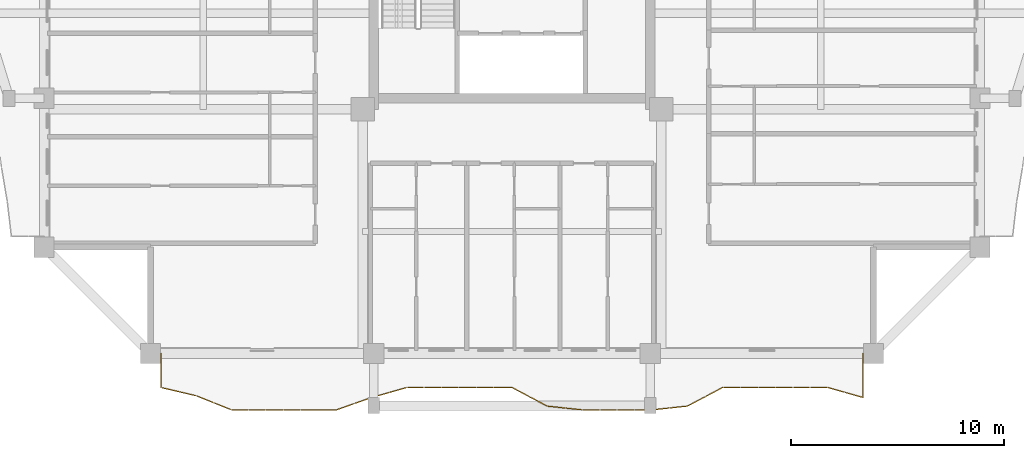
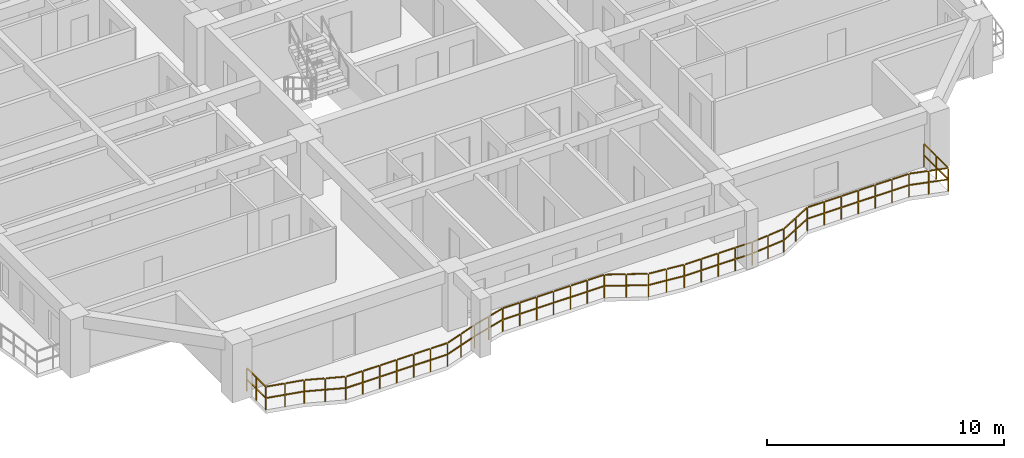
# One storey, part 11 of 15: 1 railing.
"""IFC4 building model written with IfcOpenShell, lengths in metres."""

from ifc_helpers import new_model, si_unit, direction, frame, origin, origin_2d, place, context, subcontext, project, spatial, rectangle, extrude, material, type_object, element, save


model = new_model("IFC4")

# Units and contexts
model_context = context("Model", 3, precision=1e-05, world=origin(), true_north=direction((0.0, 1.0)))
body_context = subcontext(model_context, "Body", "Model", "MODEL_VIEW")
ifc_project = project(units=[si_unit("LENGTHUNIT", "METRE"), si_unit("AREAUNIT", "SQUARE_METRE"), si_unit("VOLUMEUNIT", "CUBIC_METRE"), si_unit("PLANEANGLEUNIT", "RADIAN"), si_unit("MASSUNIT", "GRAM", prefix="KILO")], contexts=[model_context])

# Site, building, storey
site_placement = place(None, origin())
site = spatial("IfcSite", under=ifc_project, at=site_placement, CompositionType="ELEMENT")
building_placement = place(site_placement, origin())
building = spatial("IfcBuilding", under=site, at=building_placement, Name="Saelheon Loggia Tower", CompositionType="ELEMENT")
storey_placement = place(building_placement, frame((0.0, 0.0, 163.0)))
storey = spatial("IfcBuildingStorey", under=building, at=storey_placement, Name="L51", CompositionType="ELEMENT", Elevation=163.0)

# Railing
ifc_material = material(Name="Architectural Precast Concrete and Laminated Glass Guard", Category="concrete")
railing_type = type_object("IfcRailingType", Name="Guard_Loggia_RL_LOG", PredefinedType="BALUSTRADE", material=ifc_material)
railing_placement = place(storey_placement, frame((21.5, 6.0, 0.0)))
element("IfcRailing", 1, at=railing_placement, inside=storey, type_object=railing_type, Name="L51 South Loggia Balustrade", PredefinedType="BALUSTRADE", context=body_context, shape_type="SweptSolid", body=[
    extrude(rectangle(XDim=0.048095703125, YDim=0.048095703125, at=origin_2d()), frame((0.0, -0.033203125, 1.19580078125), z_axis=(0.0, -1.0, 0.0), x_axis=(1.0, 0.0, 0.0)), (0.0, 0.0, 1.0), 0.733642578125),
    extrude(rectangle(XDim=0.048095703125, YDim=0.048095703125, at=origin_2d()), frame((0.0, -0.033203125, 0.60986328125), z_axis=(0.0, -1.0, 0.0), x_axis=(1.0, 0.0, 0.0)), (0.0, 0.0, 1.0), 0.733642578125),
    extrude(rectangle(XDim=0.048095703125, YDim=0.048095703125, at=origin_2d()), frame((0.0, -0.833251953125, 1.19580078125), z_axis=(0.0, -1.0, 0.0), x_axis=(1.0, 0.0, 0.0)), (0.0, 0.0, 1.0), 0.733642578125),
    extrude(rectangle(XDim=0.048095703125, YDim=0.048095703125, at=origin_2d()), frame((0.0, -0.833251953125, 0.60986328125), z_axis=(0.0, -1.0, 0.0), x_axis=(1.0, 0.0, 0.0)), (0.0, 0.0, 1.0), 0.733642578125),
    extrude(rectangle(XDim=0.048095703125, YDim=0.048095703125, at=origin_2d()), frame((0.032470703125, -1.607666015625, 1.19580078125), z_axis=(0.973549256747, -0.228477230127, 0.0), x_axis=(0.228477230127, 0.973549256747, 0.0)), (0.0, 0.0, 1.0), 0.781005859375),
    extrude(rectangle(XDim=0.048095703125, YDim=0.048095703125, at=origin_2d()), frame((0.032470703125, -1.607666015625, 0.60986328125), z_axis=(0.973549256747, -0.228477230127, 0.0), x_axis=(0.228477230127, 0.973549256747, 0.0)), (0.0, 0.0, 1.0), 0.781005859375),
    extrude(rectangle(XDim=0.048095703125, YDim=0.048095703125, at=origin_2d()), frame((0.857421875, -1.80126953125, 1.19580078125), z_axis=(0.973549256747, -0.228477230127, 0.0), x_axis=(0.228477230127, 0.973549256747, 0.0)), (0.0, 0.0, 1.0), 0.781005859375),
    extrude(rectangle(XDim=0.048095703125, YDim=0.048095703125, at=origin_2d()), frame((0.857421875, -1.80126953125, 0.60986328125), z_axis=(0.973549256747, -0.228477230127, 0.0), x_axis=(0.228477230127, 0.973549256747, 0.0)), (0.0, 0.0, 1.0), 0.781005859375),
    extrude(rectangle(XDim=0.048095703125, YDim=0.048095703125, at=origin_2d()), frame((1.6806640625, -1.999755859375, 1.19580078125), z_axis=(0.927983503155, -0.372621279414, 0.0), x_axis=(0.372621279414, 0.927983503155, 0.0)), (0.0, 0.0, 1.0), 0.82275390625),
    extrude(rectangle(XDim=0.048095703125, YDim=0.048095703125, at=origin_2d()), frame((1.6806640625, -1.999755859375, 0.60986328125), z_axis=(0.927983503155, -0.372621279414, 0.0), x_axis=(0.372621279414, 0.927983503155, 0.0)), (0.0, 0.0, 1.0), 0.82275390625),
    extrude(rectangle(XDim=0.048095703125, YDim=0.048095703125, at=origin_2d()), frame((2.505859375, -2.3310546875, 1.19580078125), z_axis=(0.927983503155, -0.372621279414, 0.0), x_axis=(0.372621279414, 0.927983503155, 0.0)), (0.0, 0.0, 1.0), 0.82275390625),
    extrude(rectangle(XDim=0.048095703125, YDim=0.048095703125, at=origin_2d()), frame((2.505859375, -2.3310546875, 0.60986328125), z_axis=(0.927983503155, -0.372621279414, 0.0), x_axis=(0.372621279414, 0.927983503155, 0.0)), (0.0, 0.0, 1.0), 0.82275390625),
    extrude(rectangle(XDim=0.048095703125, YDim=0.048095703125, at=origin_2d()), frame((3.333251953125, -2.64990234375, 1.19580078125), z_axis=(1.0, 0.0, 0.0), x_axis=(0.0, 1.0, 0.0)), (0.0, 0.0, 1.0), 0.758544921875),
    extrude(rectangle(XDim=0.048095703125, YDim=0.048095703125, at=origin_2d()), frame((3.333251953125, -2.64990234375, 0.60986328125), z_axis=(1.0, 0.0, 0.0), x_axis=(0.0, 1.0, 0.0)), (0.0, 0.0, 1.0), 0.758544921875),
    extrude(rectangle(XDim=0.048095703125, YDim=0.048095703125, at=origin_2d()), frame((4.158203125, -2.64990234375, 1.19580078125), z_axis=(1.0, 0.0, 0.0), x_axis=(0.0, 1.0, 0.0)), (0.0, 0.0, 1.0), 0.758544921875),
    extrude(rectangle(XDim=0.048095703125, YDim=0.048095703125, at=origin_2d()), frame((4.158203125, -2.64990234375, 0.60986328125), z_axis=(1.0, 0.0, 0.0), x_axis=(0.0, 1.0, 0.0)), (0.0, 0.0, 1.0), 0.758544921875),
    extrude(rectangle(XDim=0.048095703125, YDim=0.048095703125, at=origin_2d()), frame((4.983154296875, -2.64990234375, 1.19580078125), z_axis=(1.0, 0.0, 0.0), x_axis=(0.0, 1.0, 0.0)), (0.0, 0.0, 1.0), 0.758544921875),
    extrude(rectangle(XDim=0.048095703125, YDim=0.048095703125, at=origin_2d()), frame((4.983154296875, -2.64990234375, 0.60986328125), z_axis=(1.0, 0.0, 0.0), x_axis=(0.0, 1.0, 0.0)), (0.0, 0.0, 1.0), 0.758544921875),
    extrude(rectangle(XDim=0.048095703125, YDim=0.048095703125, at=origin_2d()), frame((5.808349609375, -2.64990234375, 1.19580078125), z_axis=(1.0, 0.0, 0.0), x_axis=(0.0, 1.0, 0.0)), (0.0, 0.0, 1.0), 0.758544921875),
    extrude(rectangle(XDim=0.048095703125, YDim=0.048095703125, at=origin_2d()), frame((5.808349609375, -2.64990234375, 0.60986328125), z_axis=(1.0, 0.0, 0.0), x_axis=(0.0, 1.0, 0.0)), (0.0, 0.0, 1.0), 0.758544921875),
    extrude(rectangle(XDim=0.048095703125, YDim=0.048095703125, at=origin_2d()), frame((6.63330078125, -2.64990234375, 1.19580078125), z_axis=(1.0, 0.0, 0.0), x_axis=(0.0, 1.0, 0.0)), (0.0, 0.0, 1.0), 0.758544921875),
    extrude(rectangle(XDim=0.048095703125, YDim=0.048095703125, at=origin_2d()), frame((6.63330078125, -2.64990234375, 0.60986328125), z_axis=(1.0, 0.0, 0.0), x_axis=(0.0, 1.0, 0.0)), (0.0, 0.0, 1.0), 0.758544921875),
    extrude(rectangle(XDim=0.048095703125, YDim=0.048095703125, at=origin_2d()), frame((7.458251953125, -2.64990234375, 1.19580078125), z_axis=(1.0, 0.0, 0.0), x_axis=(0.0, 1.0, 0.0)), (0.0, 0.0, 1.0), 0.758544921875),
    extrude(rectangle(XDim=0.048095703125, YDim=0.048095703125, at=origin_2d()), frame((7.458251953125, -2.64990234375, 0.60986328125), z_axis=(1.0, 0.0, 0.0), x_axis=(0.0, 1.0, 0.0)), (0.0, 0.0, 1.0), 0.758544921875),
    extrude(rectangle(XDim=0.048095703125, YDim=0.048095703125, at=origin_2d()), frame((8.28125, -2.638916015625, 1.19580078125), z_axis=(0.943173127257, 0.332301748446, 0.0), x_axis=(-0.332301748446, 0.943173127257, 0.0)), (0.0, 0.0, 1.0), 0.80810546875),
    extrude(rectangle(XDim=0.048095703125, YDim=0.048095703125, at=origin_2d()), frame((8.28125, -2.638916015625, 0.60986328125), z_axis=(0.943173127257, 0.332301748446, 0.0), x_axis=(-0.332301748446, 0.943173127257, 0.0)), (0.0, 0.0, 1.0), 0.80810546875),
    extrude(rectangle(XDim=0.048095703125, YDim=0.048095703125, at=origin_2d()), frame((9.106201171875, -2.34814453125, 1.19580078125), z_axis=(0.943173127257, 0.332301748446, 0.0), x_axis=(-0.332301748446, 0.943173127257, 0.0)), (0.0, 0.0, 1.0), 0.80810546875),
    extrude(rectangle(XDim=0.048095703125, YDim=0.048095703125, at=origin_2d()), frame((9.106201171875, -2.34814453125, 0.60986328125), z_axis=(0.943173127257, 0.332301748446, 0.0), x_axis=(-0.332301748446, 0.943173127257, 0.0)), (0.0, 0.0, 1.0), 0.80810546875),
    extrude(rectangle(XDim=0.048095703125, YDim=0.048095703125, at=origin_2d()), frame((9.931884765625, -2.0595703125, 1.19580078125), z_axis=(0.961979136335, 0.273122941652, 0.0), x_axis=(-0.273122941652, 0.961979136335, 0.0)), (0.0, 0.0, 1.0), 0.791259765625),
    extrude(rectangle(XDim=0.048095703125, YDim=0.048095703125, at=origin_2d()), frame((9.931884765625, -2.0595703125, 0.60986328125), z_axis=(0.961979136335, 0.273122941652, 0.0), x_axis=(-0.273122941652, 0.961979136335, 0.0)), (0.0, 0.0, 1.0), 0.791259765625),
    extrude(rectangle(XDim=0.048095703125, YDim=0.048095703125, at=origin_2d()), frame((10.7568359375, -1.8251953125, 1.19580078125), z_axis=(0.961979136335, 0.273122941652, 0.0), x_axis=(-0.273122941652, 0.961979136335, 0.0)), (0.0, 0.0, 1.0), 0.791259765625),
    extrude(rectangle(XDim=0.048095703125, YDim=0.048095703125, at=origin_2d()), frame((10.7568359375, -1.8251953125, 0.60986328125), z_axis=(0.961979136335, 0.273122941652, 0.0), x_axis=(-0.273122941652, 0.961979136335, 0.0)), (0.0, 0.0, 1.0), 0.791259765625),
    extrude(rectangle(XDim=0.048095703125, YDim=0.048095703125, at=origin_2d()), frame((11.583251953125, -1.60009765625, 1.19580078125), z_axis=(1.0, 0.0, 0.0), x_axis=(0.0, 1.0, 0.0)), (0.0, 0.0, 1.0), 0.758544921875),
    extrude(rectangle(XDim=0.048095703125, YDim=0.048095703125, at=origin_2d()), frame((11.583251953125, -1.60009765625, 0.60986328125), z_axis=(1.0, 0.0, 0.0), x_axis=(0.0, 1.0, 0.0)), (0.0, 0.0, 1.0), 0.758544921875),
    extrude(rectangle(XDim=0.048095703125, YDim=0.048095703125, at=origin_2d()), frame((12.408203125, -1.60009765625, 1.19580078125), z_axis=(1.0, 0.0, 0.0), x_axis=(0.0, 1.0, 0.0)), (0.0, 0.0, 1.0), 0.758544921875),
    extrude(rectangle(XDim=0.048095703125, YDim=0.048095703125, at=origin_2d()), frame((12.408203125, -1.60009765625, 0.60986328125), z_axis=(1.0, 0.0, 0.0), x_axis=(0.0, 1.0, 0.0)), (0.0, 0.0, 1.0), 0.758544921875),
    extrude(rectangle(XDim=0.048095703125, YDim=0.048095703125, at=origin_2d()), frame((13.233154296875, -1.60009765625, 1.19580078125), z_axis=(1.0, 0.0, 0.0), x_axis=(0.0, 1.0, 0.0)), (0.0, 0.0, 1.0), 0.758544921875),
    extrude(rectangle(XDim=0.048095703125, YDim=0.048095703125, at=origin_2d()), frame((13.233154296875, -1.60009765625, 0.60986328125), z_axis=(1.0, 0.0, 0.0), x_axis=(0.0, 1.0, 0.0)), (0.0, 0.0, 1.0), 0.758544921875),
    extrude(rectangle(XDim=0.048095703125, YDim=0.048095703125, at=origin_2d()), frame((14.058349609375, -1.60009765625, 1.19580078125), z_axis=(1.0, 0.0, 0.0), x_axis=(0.0, 1.0, 0.0)), (0.0, 0.0, 1.0), 0.758544921875),
    extrude(rectangle(XDim=0.048095703125, YDim=0.048095703125, at=origin_2d()), frame((14.058349609375, -1.60009765625, 0.60986328125), z_axis=(1.0, 0.0, 0.0), x_axis=(0.0, 1.0, 0.0)), (0.0, 0.0, 1.0), 0.758544921875),
    extrude(rectangle(XDim=0.048095703125, YDim=0.048095703125, at=origin_2d()), frame((14.88330078125, -1.60009765625, 1.19580078125), z_axis=(1.0, 0.0, 0.0), x_axis=(0.0, 1.0, 0.0)), (0.0, 0.0, 1.0), 0.758544921875),
    extrude(rectangle(XDim=0.048095703125, YDim=0.048095703125, at=origin_2d()), frame((14.88330078125, -1.60009765625, 0.60986328125), z_axis=(1.0, 0.0, 0.0), x_axis=(0.0, 1.0, 0.0)), (0.0, 0.0, 1.0), 0.758544921875),
    extrude(rectangle(XDim=0.048095703125, YDim=0.048095703125, at=origin_2d()), frame((15.708251953125, -1.60009765625, 1.19580078125), z_axis=(1.0, 0.0, 0.0), x_axis=(0.0, 1.0, 0.0)), (0.0, 0.0, 1.0), 0.758544921875),
    extrude(rectangle(XDim=0.048095703125, YDim=0.048095703125, at=origin_2d()), frame((15.708251953125, -1.60009765625, 0.60986328125), z_axis=(1.0, 0.0, 0.0), x_axis=(0.0, 1.0, 0.0)), (0.0, 0.0, 1.0), 0.758544921875),
    extrude(rectangle(XDim=0.048095703125, YDim=0.048095703125, at=origin_2d()), frame((16.529296875, -1.61572265625, 1.19580078125), z_axis=(0.883883339799, -0.467707431655, 0.0), x_axis=(0.467707431655, 0.883883339799, 0.0)), (0.0, 0.0, 1.0), 0.866943359375),
    extrude(rectangle(XDim=0.048095703125, YDim=0.048095703125, at=origin_2d()), frame((16.529296875, -1.61572265625, 0.60986328125), z_axis=(0.883883339799, -0.467707431655, 0.0), x_axis=(0.467707431655, 0.883883339799, 0.0)), (0.0, 0.0, 1.0), 0.866943359375),
    extrude(rectangle(XDim=0.048095703125, YDim=0.048095703125, at=origin_2d()), frame((17.354248046875, -2.05224609375, 1.19580078125), z_axis=(0.883883339799, -0.467707431655, 0.0), x_axis=(0.467707431655, 0.883883339799, 0.0)), (0.0, 0.0, 1.0), 0.866943359375),
    extrude(rectangle(XDim=0.048095703125, YDim=0.048095703125, at=origin_2d()), frame((17.354248046875, -2.05224609375, 0.60986328125), z_axis=(0.883883339799, -0.467707431655, 0.0), x_axis=(0.467707431655, 0.883883339799, 0.0)), (0.0, 0.0, 1.0), 0.866943359375),
    extrude(rectangle(XDim=0.048095703125, YDim=0.048095703125, at=origin_2d()), frame((18.182861328125, -2.4765625, 1.19580078125), z_axis=(0.994311936229, -0.106507152216, 0.0), x_axis=(0.106507152216, 0.994311936229, 0.0)), (0.0, 0.0, 1.0), 0.763427734375),
    extrude(rectangle(XDim=0.048095703125, YDim=0.048095703125, at=origin_2d()), frame((18.182861328125, -2.4765625, 0.60986328125), z_axis=(0.994311936229, -0.106507152216, 0.0), x_axis=(0.106507152216, 0.994311936229, 0.0)), (0.0, 0.0, 1.0), 0.763427734375),
    extrude(rectangle(XDim=0.048095703125, YDim=0.048095703125, at=origin_2d()), frame((19.008056640625, -2.56494140625, 1.19580078125), z_axis=(0.994311936229, -0.106507152216, 0.0), x_axis=(0.106507152216, 0.994311936229, 0.0)), (0.0, 0.0, 1.0), 0.763427734375),
    extrude(rectangle(XDim=0.048095703125, YDim=0.048095703125, at=origin_2d()), frame((19.008056640625, -2.56494140625, 0.60986328125), z_axis=(0.994311936229, -0.106507152216, 0.0), x_axis=(0.106507152216, 0.994311936229, 0.0)), (0.0, 0.0, 1.0), 0.763427734375),
    extrude(rectangle(XDim=0.048095703125, YDim=0.048095703125, at=origin_2d()), frame((19.833251953125, -2.64990234375, 1.19580078125), z_axis=(1.0, 0.0, 0.0), x_axis=(0.0, 1.0, 0.0)), (0.0, 0.0, 1.0), 0.758544921875),
    extrude(rectangle(XDim=0.048095703125, YDim=0.048095703125, at=origin_2d()), frame((19.833251953125, -2.64990234375, 0.60986328125), z_axis=(1.0, 0.0, 0.0), x_axis=(0.0, 1.0, 0.0)), (0.0, 0.0, 1.0), 0.758544921875),
    extrude(rectangle(XDim=0.048095703125, YDim=0.048095703125, at=origin_2d()), frame((20.658203125, -2.64990234375, 1.19580078125), z_axis=(1.0, 0.0, 0.0), x_axis=(0.0, 1.0, 0.0)), (0.0, 0.0, 1.0), 0.758544921875),
    extrude(rectangle(XDim=0.048095703125, YDim=0.048095703125, at=origin_2d()), frame((20.658203125, -2.64990234375, 0.60986328125), z_axis=(1.0, 0.0, 0.0), x_axis=(0.0, 1.0, 0.0)), (0.0, 0.0, 1.0), 0.758544921875),
    extrude(rectangle(XDim=0.048095703125, YDim=0.048095703125, at=origin_2d()), frame((21.483154296875, -2.64990234375, 1.19580078125), z_axis=(1.0, 0.0, 0.0), x_axis=(0.0, 1.0, 0.0)), (0.0, 0.0, 1.0), 0.758544921875),
    extrude(rectangle(XDim=0.048095703125, YDim=0.048095703125, at=origin_2d()), frame((21.483154296875, -2.64990234375, 0.60986328125), z_axis=(1.0, 0.0, 0.0), x_axis=(0.0, 1.0, 0.0)), (0.0, 0.0, 1.0), 0.758544921875),
    extrude(rectangle(XDim=0.048095703125, YDim=0.048095703125, at=origin_2d()), frame((22.308349609375, -2.64990234375, 1.19580078125), z_axis=(1.0, 0.0, 0.0), x_axis=(0.0, 1.0, 0.0)), (0.0, 0.0, 1.0), 0.758544921875),
    extrude(rectangle(XDim=0.048095703125, YDim=0.048095703125, at=origin_2d()), frame((22.308349609375, -2.64990234375, 0.60986328125), z_axis=(1.0, 0.0, 0.0), x_axis=(0.0, 1.0, 0.0)), (0.0, 0.0, 1.0), 0.758544921875),
    extrude(rectangle(XDim=0.048095703125, YDim=0.048095703125, at=origin_2d()), frame((23.133056640625, -2.646240234375, 1.19580078125), z_axis=(0.994310267088, 0.106522733556, 0.0), x_axis=(-0.106522733556, 0.994310267088, 0.0)), (0.0, 0.0, 1.0), 0.76318359375),
    extrude(rectangle(XDim=0.048095703125, YDim=0.048095703125, at=origin_2d()), frame((23.133056640625, -2.646240234375, 0.60986328125), z_axis=(0.994310267088, 0.106522733556, 0.0), x_axis=(-0.106522733556, 0.994310267088, 0.0)), (0.0, 0.0, 1.0), 0.76318359375),
    extrude(rectangle(XDim=0.048095703125, YDim=0.048095703125, at=origin_2d()), frame((23.9580078125, -2.557861328125, 1.19580078125), z_axis=(0.994310267088, 0.106522733556, 0.0), x_axis=(-0.106522733556, 0.994310267088, 0.0)), (0.0, 0.0, 1.0), 0.76318359375),
    extrude(rectangle(XDim=0.048095703125, YDim=0.048095703125, at=origin_2d()), frame((23.9580078125, -2.557861328125, 0.60986328125), z_axis=(0.994310267088, 0.106522733556, 0.0), x_axis=(-0.106522733556, 0.994310267088, 0.0)), (0.0, 0.0, 1.0), 0.76318359375),
    extrude(rectangle(XDim=0.048095703125, YDim=0.048095703125, at=origin_2d()), frame((24.779296875, -2.45751953125, 1.19580078125), z_axis=(0.883883339799, 0.467707431655, 0.0), x_axis=(-0.467707431655, 0.883883339799, 0.0)), (0.0, 0.0, 1.0), 0.866943359375),
    extrude(rectangle(XDim=0.048095703125, YDim=0.048095703125, at=origin_2d()), frame((24.779296875, -2.45751953125, 0.60986328125), z_axis=(0.883883339799, 0.467707431655, 0.0), x_axis=(-0.467707431655, 0.883883339799, 0.0)), (0.0, 0.0, 1.0), 0.866943359375),
    extrude(rectangle(XDim=0.048095703125, YDim=0.048095703125, at=origin_2d()), frame((25.604248046875, -2.02099609375, 1.19580078125), z_axis=(0.883883339799, 0.467707431655, 0.0), x_axis=(-0.467707431655, 0.883883339799, 0.0)), (0.0, 0.0, 1.0), 0.866943359375),
    extrude(rectangle(XDim=0.048095703125, YDim=0.048095703125, at=origin_2d()), frame((25.604248046875, -2.02099609375, 0.60986328125), z_axis=(0.883883339799, 0.467707431655, 0.0), x_axis=(-0.467707431655, 0.883883339799, 0.0)), (0.0, 0.0, 1.0), 0.866943359375),
    extrude(rectangle(XDim=0.048095703125, YDim=0.048095703125, at=origin_2d()), frame((26.43310546875, -1.60009765625, 1.19580078125), z_axis=(1.0, 0.0, 0.0), x_axis=(0.0, 1.0, 0.0)), (0.0, 0.0, 1.0), 0.758544921875),
    extrude(rectangle(XDim=0.048095703125, YDim=0.048095703125, at=origin_2d()), frame((26.43310546875, -1.60009765625, 0.60986328125), z_axis=(1.0, 0.0, 0.0), x_axis=(0.0, 1.0, 0.0)), (0.0, 0.0, 1.0), 0.758544921875),
    extrude(rectangle(XDim=0.048095703125, YDim=0.048095703125, at=origin_2d()), frame((27.25830078125, -1.60009765625, 1.19580078125), z_axis=(1.0, 0.0, 0.0), x_axis=(0.0, 1.0, 0.0)), (0.0, 0.0, 1.0), 0.758544921875),
    extrude(rectangle(XDim=0.048095703125, YDim=0.048095703125, at=origin_2d()), frame((27.25830078125, -1.60009765625, 0.60986328125), z_axis=(1.0, 0.0, 0.0), x_axis=(0.0, 1.0, 0.0)), (0.0, 0.0, 1.0), 0.758544921875),
    extrude(rectangle(XDim=0.048095703125, YDim=0.048095703125, at=origin_2d()), frame((28.083251953125, -1.60009765625, 1.19580078125), z_axis=(1.0, 0.0, 0.0), x_axis=(0.0, 1.0, 0.0)), (0.0, 0.0, 1.0), 0.758544921875),
    extrude(rectangle(XDim=0.048095703125, YDim=0.048095703125, at=origin_2d()), frame((28.083251953125, -1.60009765625, 0.60986328125), z_axis=(1.0, 0.0, 0.0), x_axis=(0.0, 1.0, 0.0)), (0.0, 0.0, 1.0), 0.758544921875),
    extrude(rectangle(XDim=0.048095703125, YDim=0.048095703125, at=origin_2d()), frame((28.908203125, -1.60009765625, 1.19580078125), z_axis=(1.0, 0.0, 0.0), x_axis=(0.0, 1.0, 0.0)), (0.0, 0.0, 1.0), 0.758544921875),
    extrude(rectangle(XDim=0.048095703125, YDim=0.048095703125, at=origin_2d()), frame((28.908203125, -1.60009765625, 0.60986328125), z_axis=(1.0, 0.0, 0.0), x_axis=(0.0, 1.0, 0.0)), (0.0, 0.0, 1.0), 0.758544921875),
    extrude(rectangle(XDim=0.048095703125, YDim=0.048095703125, at=origin_2d()), frame((29.733154296875, -1.60009765625, 1.19580078125), z_axis=(1.0, 0.0, 0.0), x_axis=(0.0, 1.0, 0.0)), (0.0, 0.0, 1.0), 0.758544921875),
    extrude(rectangle(XDim=0.048095703125, YDim=0.048095703125, at=origin_2d()), frame((29.733154296875, -1.60009765625, 0.60986328125), z_axis=(1.0, 0.0, 0.0), x_axis=(0.0, 1.0, 0.0)), (0.0, 0.0, 1.0), 0.758544921875),
    extrude(rectangle(XDim=0.048095703125, YDim=0.048095703125, at=origin_2d()), frame((30.558349609375, -1.60009765625, 1.19580078125), z_axis=(1.0, 0.0, 0.0), x_axis=(0.0, 1.0, 0.0)), (0.0, 0.0, 1.0), 0.758544921875),
    extrude(rectangle(XDim=0.048095703125, YDim=0.048095703125, at=origin_2d()), frame((30.558349609375, -1.60009765625, 0.60986328125), z_axis=(1.0, 0.0, 0.0), x_axis=(0.0, 1.0, 0.0)), (0.0, 0.0, 1.0), 0.758544921875),
    extrude(rectangle(XDim=0.048095703125, YDim=0.048095703125, at=origin_2d()), frame((31.382080078125, -1.609130859375, 1.19580078125), z_axis=(0.961968517209, -0.273160341007, 0.0), x_axis=(0.273160341007, 0.961968517209, 0.0)), (0.0, 0.0, 1.0), 0.791015625),
    extrude(rectangle(XDim=0.048095703125, YDim=0.048095703125, at=origin_2d()), frame((31.382080078125, -1.609130859375, 0.60986328125), z_axis=(0.961968517209, -0.273160341007, 0.0), x_axis=(0.273160341007, 0.961968517209, 0.0)), (0.0, 0.0, 1.0), 0.791015625),
    extrude(rectangle(XDim=0.048095703125, YDim=0.048095703125, at=origin_2d()), frame((32.20703125, -1.843505859375, 1.19580078125), z_axis=(0.961968517209, -0.273160341007, 0.0), x_axis=(0.273160341007, 0.961968517209, 0.0)), (0.0, 0.0, 1.0), 0.791015625),
    extrude(rectangle(XDim=0.048095703125, YDim=0.048095703125, at=origin_2d()), frame((32.20703125, -1.843505859375, 0.60986328125), z_axis=(0.961968517209, -0.273160341007, 0.0), x_axis=(0.273160341007, 0.961968517209, 0.0)), (0.0, 0.0, 1.0), 0.791015625),
    extrude(rectangle(XDim=0.048095703125, YDim=0.048095703125, at=origin_2d()), frame((33.0, -2.035400390625, 1.19580078125), z_axis=(0.0, 1.0, 0.0), x_axis=(-1.0, 0.0, 0.0)), (0.0, 0.0, 1.0), 0.9677734375),
    extrude(rectangle(XDim=0.048095703125, YDim=0.048095703125, at=origin_2d()), frame((33.0, -2.035400390625, 0.60986328125), z_axis=(0.0, 1.0, 0.0), x_axis=(-1.0, 0.0, 0.0)), (0.0, 0.0, 1.0), 0.9677734375),
    extrude(rectangle(XDim=0.048095703125, YDim=0.048095703125, at=origin_2d()), frame((33.0, -1.0009765625, 1.19580078125), z_axis=(0.0, 1.0, 0.0), x_axis=(-1.0, 0.0, 0.0)), (0.0, 0.0, 1.0), 0.9677734375),
    extrude(rectangle(XDim=0.048095703125, YDim=0.048095703125, at=origin_2d()), frame((33.0, -1.0009765625, 0.60986328125), z_axis=(0.0, 1.0, 0.0), x_axis=(-1.0, 0.0, 0.0)), (0.0, 0.0, 1.0), 0.9677734375),
    extrude(rectangle(XDim=0.0419921875, YDim=0.0419921875, at=origin_2d()), origin(), (0.0, 0.0, 1.0), 1.16796875),
    extrude(rectangle(XDim=0.0419921875, YDim=0.0419921875, at=origin_2d()), frame((0.0, -0.800048828125, 0.0)), (0.0, 0.0, 1.0), 1.16796875),
    extrude(rectangle(XDim=0.0419921875, YDim=0.0419921875, at=origin_2d()), frame((0.0, -1.60009765625, 0.0)), (0.0, 0.0, 1.0), 1.16796875),
    extrude(rectangle(XDim=0.0419921875, YDim=0.0419921875, at=origin_2d()), frame((0.824951171875, -1.793701171875, 0.0)), (0.0, 0.0, 1.0), 1.16796875),
    extrude(rectangle(XDim=0.0419921875, YDim=0.0419921875, at=origin_2d()), frame((1.64990234375, -1.9873046875, 0.0)), (0.0, 0.0, 1.0), 1.16796875),
    extrude(rectangle(XDim=0.0419921875, YDim=0.0419921875, at=origin_2d()), frame((2.47509765625, -2.318603515625, 0.0)), (0.0, 0.0, 1.0), 1.16796875),
    extrude(rectangle(XDim=0.0419921875, YDim=0.0419921875, at=origin_2d()), frame((3.300048828125, -2.64990234375, 0.0)), (0.0, 0.0, 1.0), 1.16796875),
    extrude(rectangle(XDim=0.0419921875, YDim=0.0419921875, at=origin_2d()), frame((4.125, -2.64990234375, 0.0)), (0.0, 0.0, 1.0), 1.16796875),
    extrude(rectangle(XDim=0.0419921875, YDim=0.0419921875, at=origin_2d()), frame((4.949951171875, -2.64990234375, 0.0)), (0.0, 0.0, 1.0), 1.16796875),
    extrude(rectangle(XDim=0.0419921875, YDim=0.0419921875, at=origin_2d()), frame((5.77490234375, -2.64990234375, 0.0)), (0.0, 0.0, 1.0), 1.16796875),
    extrude(rectangle(XDim=0.0419921875, YDim=0.0419921875, at=origin_2d()), frame((6.60009765625, -2.64990234375, 0.0)), (0.0, 0.0, 1.0), 1.16796875),
    extrude(rectangle(XDim=0.0419921875, YDim=0.0419921875, at=origin_2d()), frame((7.425048828125, -2.64990234375, 0.0)), (0.0, 0.0, 1.0), 1.16796875),
    extrude(rectangle(XDim=0.0419921875, YDim=0.0419921875, at=origin_2d()), frame((8.25, -2.64990234375, 0.0)), (0.0, 0.0, 1.0), 1.16796875),
    extrude(rectangle(XDim=0.0419921875, YDim=0.0419921875, at=origin_2d()), frame((9.074951171875, -2.359375, 0.0)), (0.0, 0.0, 1.0), 1.16796875),
    extrude(rectangle(XDim=0.0419921875, YDim=0.0419921875, at=origin_2d()), frame((9.89990234375, -2.068603515625, 0.0)), (0.0, 0.0, 1.0), 1.16796875),
    extrude(rectangle(XDim=0.0419921875, YDim=0.0419921875, at=origin_2d()), frame((10.72509765625, -1.83447265625, 0.0)), (0.0, 0.0, 1.0), 1.16796875),
    extrude(rectangle(XDim=0.0419921875, YDim=0.0419921875, at=origin_2d()), frame((11.550048828125, -1.60009765625, 0.0)), (0.0, 0.0, 1.0), 1.16796875),
    extrude(rectangle(XDim=0.0419921875, YDim=0.0419921875, at=origin_2d()), frame((12.375, -1.60009765625, 0.0)), (0.0, 0.0, 1.0), 1.16796875),
    extrude(rectangle(XDim=0.0419921875, YDim=0.0419921875, at=origin_2d()), frame((13.199951171875, -1.60009765625, 0.0)), (0.0, 0.0, 1.0), 1.16796875),
    extrude(rectangle(XDim=0.0419921875, YDim=0.0419921875, at=origin_2d()), frame((14.02490234375, -1.60009765625, 0.0)), (0.0, 0.0, 1.0), 1.16796875),
    extrude(rectangle(XDim=0.0419921875, YDim=0.0419921875, at=origin_2d()), frame((14.85009765625, -1.60009765625, 0.0)), (0.0, 0.0, 1.0), 1.16796875),
    extrude(rectangle(XDim=0.0419921875, YDim=0.0419921875, at=origin_2d()), frame((15.675048828125, -1.60009765625, 0.0)), (0.0, 0.0, 1.0), 1.16796875),
    extrude(rectangle(XDim=0.0419921875, YDim=0.0419921875, at=origin_2d()), frame((16.5, -1.60009765625, 0.0)), (0.0, 0.0, 1.0), 1.16796875),
    extrude(rectangle(XDim=0.0419921875, YDim=0.0419921875, at=origin_2d()), frame((17.324951171875, -2.03662109375, 0.0)), (0.0, 0.0, 1.0), 1.16796875),
    extrude(rectangle(XDim=0.0419921875, YDim=0.0419921875, at=origin_2d()), frame((18.14990234375, -2.47314453125, 0.0)), (0.0, 0.0, 1.0), 1.16796875),
    extrude(rectangle(XDim=0.0419921875, YDim=0.0419921875, at=origin_2d()), frame((18.97509765625, -2.5615234375, 0.0)), (0.0, 0.0, 1.0), 1.16796875),
    extrude(rectangle(XDim=0.0419921875, YDim=0.0419921875, at=origin_2d()), frame((19.800048828125, -2.64990234375, 0.0)), (0.0, 0.0, 1.0), 1.16796875),
    extrude(rectangle(XDim=0.0419921875, YDim=0.0419921875, at=origin_2d()), frame((20.625, -2.64990234375, 0.0)), (0.0, 0.0, 1.0), 1.16796875),
    extrude(rectangle(XDim=0.0419921875, YDim=0.0419921875, at=origin_2d()), frame((21.449951171875, -2.64990234375, 0.0)), (0.0, 0.0, 1.0), 1.16796875),
    extrude(rectangle(XDim=0.0419921875, YDim=0.0419921875, at=origin_2d()), frame((22.27490234375, -2.64990234375, 0.0)), (0.0, 0.0, 1.0), 1.16796875),
    extrude(rectangle(XDim=0.0419921875, YDim=0.0419921875, at=origin_2d()), frame((23.10009765625, -2.64990234375, 0.0)), (0.0, 0.0, 1.0), 1.16796875),
    extrude(rectangle(XDim=0.0419921875, YDim=0.0419921875, at=origin_2d()), frame((23.925048828125, -2.5615234375, 0.0)), (0.0, 0.0, 1.0), 1.16796875),
    extrude(rectangle(XDim=0.0419921875, YDim=0.0419921875, at=origin_2d()), frame((24.75, -2.47314453125, 0.0)), (0.0, 0.0, 1.0), 1.16796875),
    extrude(rectangle(XDim=0.0419921875, YDim=0.0419921875, at=origin_2d()), frame((25.574951171875, -2.03662109375, 0.0)), (0.0, 0.0, 1.0), 1.16796875),
    extrude(rectangle(XDim=0.0419921875, YDim=0.0419921875, at=origin_2d()), frame((26.39990234375, -1.60009765625, 0.0)), (0.0, 0.0, 1.0), 1.16796875),
    extrude(rectangle(XDim=0.0419921875, YDim=0.0419921875, at=origin_2d()), frame((27.22509765625, -1.60009765625, 0.0)), (0.0, 0.0, 1.0), 1.16796875),
    extrude(rectangle(XDim=0.0419921875, YDim=0.0419921875, at=origin_2d()), frame((28.050048828125, -1.60009765625, 0.0)), (0.0, 0.0, 1.0), 1.16796875),
    extrude(rectangle(XDim=0.0419921875, YDim=0.0419921875, at=origin_2d()), frame((28.875, -1.60009765625, 0.0)), (0.0, 0.0, 1.0), 1.16796875),
    extrude(rectangle(XDim=0.0419921875, YDim=0.0419921875, at=origin_2d()), frame((29.699951171875, -1.60009765625, 0.0)), (0.0, 0.0, 1.0), 1.16796875),
    extrude(rectangle(XDim=0.0419921875, YDim=0.0419921875, at=origin_2d()), frame((30.52490234375, -1.60009765625, 0.0)), (0.0, 0.0, 1.0), 1.16796875),
    extrude(rectangle(XDim=0.0419921875, YDim=0.0419921875, at=origin_2d()), frame((31.35009765625, -1.60009765625, 0.0)), (0.0, 0.0, 1.0), 1.16796875),
    extrude(rectangle(XDim=0.0419921875, YDim=0.0419921875, at=origin_2d()), frame((32.175048828125, -1.83447265625, 0.0)), (0.0, 0.0, 1.0), 1.16796875),
    extrude(rectangle(XDim=0.0419921875, YDim=0.0419921875, at=origin_2d()), frame((33.0, -2.068603515625, 0.0)), (0.0, 0.0, 1.0), 1.16796875),
    extrude(rectangle(XDim=0.0419921875, YDim=0.0419921875, at=origin_2d()), frame((33.0, -1.0341796875, 0.0)), (0.0, 0.0, 1.0), 1.16796875),
    extrude(rectangle(XDim=0.0419921875, YDim=0.0419921875, at=origin_2d()), frame((33.0, 0.0, 0.0)), (0.0, 0.0, 1.0), 1.16796875),
])

save(model, "model.ifc")
